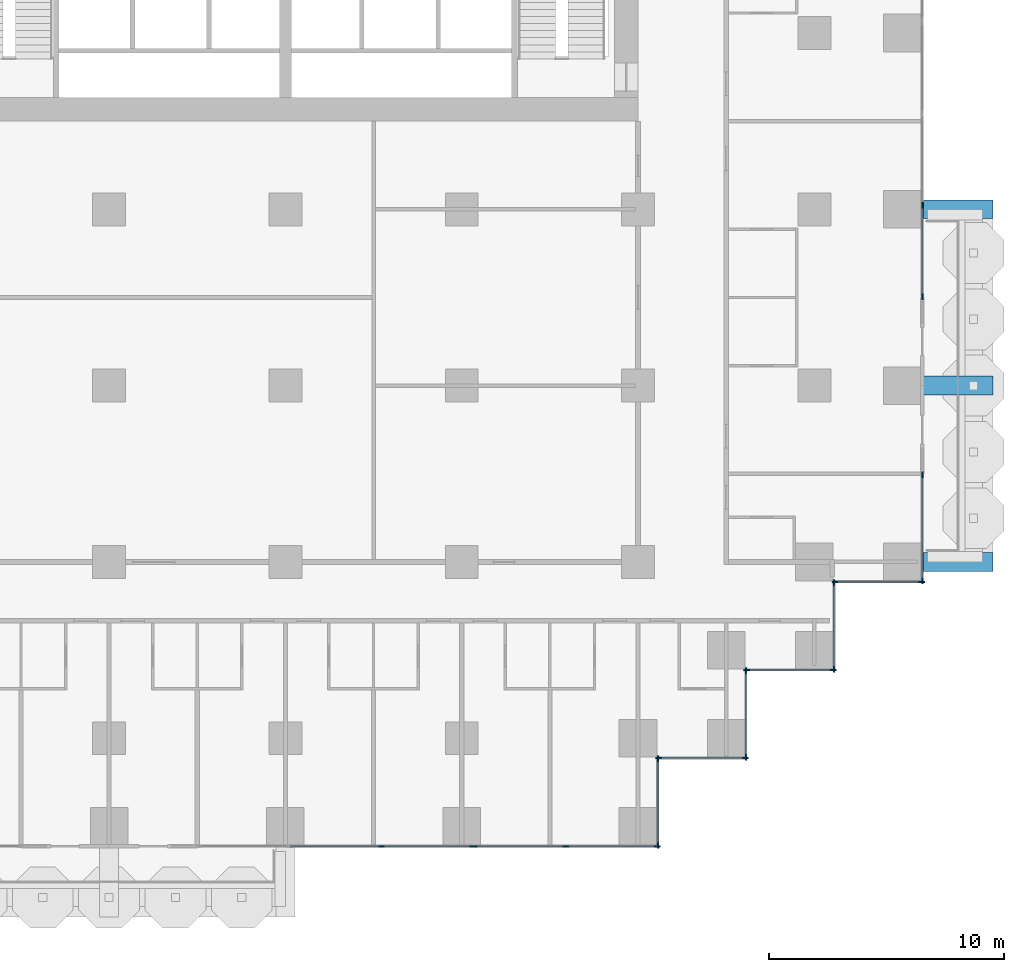
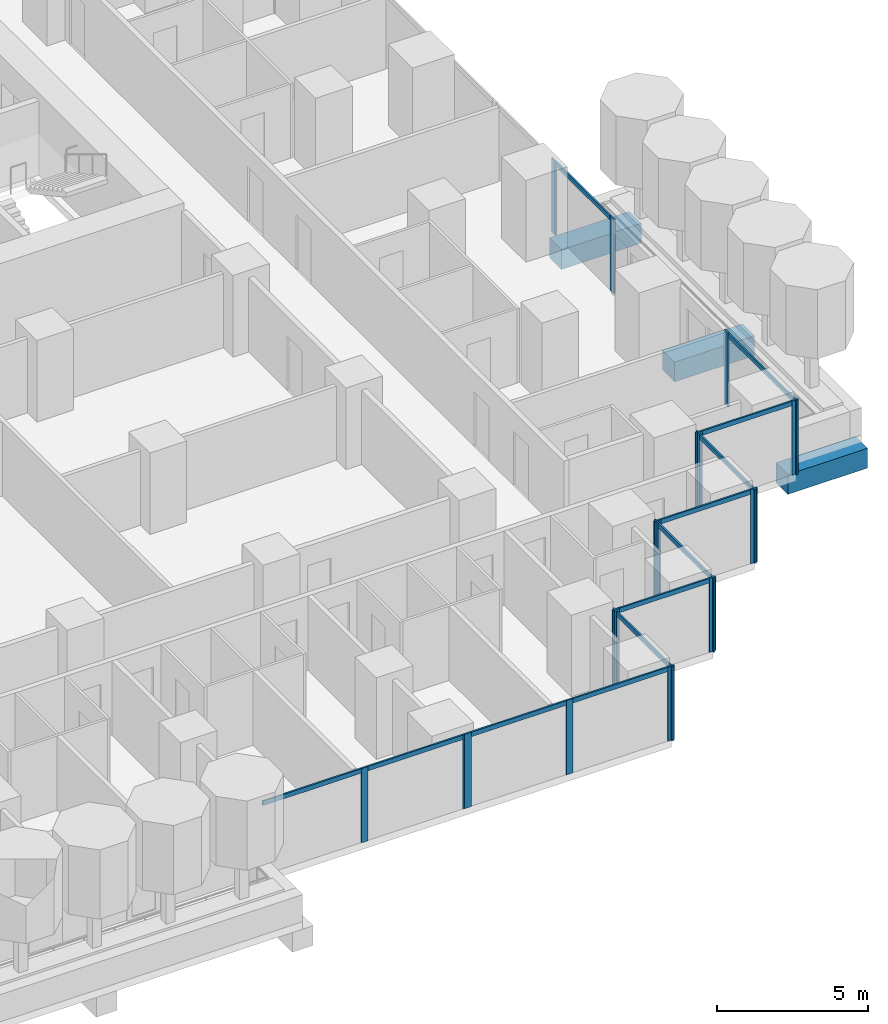
# One storey, part 3 of 17: 33 members, 3 beams, 10 elements without a shape of their own.
"""IFC4 building model written with IfcOpenShell, lengths in metres."""

import ifcopenshell
import ifcopenshell.guid

model = None  # the IFC model being written
_history = None  # IfcOwnerHistory: only IFC2X3 demands one
_inside = {}  # id of a spatial element -> (the spatial element, [elements in it])
_under = {}  # id of a project, library or spatial element -> (it, [spatial elements below it])
_declared = {}  # id of a project -> (the project, [libraries it declares])
_typed = {}  # id of a type object -> (the type object, [elements of that type])
_made_of = {}  # id of a material, layer set ... -> (it, [elements and type objects made of it])


def new_model(schema):
    """Start an empty IFC model of exactly this schema.

    Asked for "IFC4X3", IfcOpenShell would pick the latest addendum, in which some entities
    have other attributes; the version numbers below select the first issue.
    IFC2X3 requires an IfcOwnerHistory on every rooted entity: one is made here for all.
    """
    global model, _history
    if schema == "IFC4X3":
        model = ifcopenshell.file(schema_version=(4, 3, 0, 0))
    else:
        model = ifcopenshell.file(schema=schema)
    _inside.clear()
    _under.clear()
    _declared.clear()
    _typed.clear()
    _made_of.clear()
    _history = None
    if model.schema == "IFC2X3":
        org = make("IfcOrganization", Name="unknown")
        user = make(
            "IfcPersonAndOrganization",
            ThePerson=make("IfcPerson", FamilyName="unknown"),
            TheOrganization=org,
        )
        app = make(
            "IfcApplication",
            ApplicationDeveloper=org,
            Version="unknown",
            ApplicationFullName="unknown",
            ApplicationIdentifier="unknown",
        )
        _history = make(
            "IfcOwnerHistory",
            OwningUser=user,
            OwningApplication=app,
            ChangeAction="ADDED",
            CreationDate=0,
        )
    return model


def make(cls, **values):
    """One entity of the class cls with the attributes given. An attribute that is None is left unset."""
    return model.create_entity(
        cls, **{name: value for name, value in values.items() if value is not None}
    )


def rooted(cls, **values):
    """An entity with a GlobalId (a new one), such as an element, a storey or a relation."""
    return make(cls, GlobalId=ifcopenshell.guid.new(), OwnerHistory=_history, **values)


def si_unit(unit_type, name, prefix=None):
    """IfcSIUnit, for example si_unit("LENGTHUNIT", "METRE", prefix="MILLI")."""
    return make("IfcSIUnit", UnitType=unit_type, Prefix=prefix, Name=name)


def assignment(units):
    """IfcUnitAssignment: the units of a project."""
    return None if units is None else make("IfcUnitAssignment", Units=units)


def point(xyz):
    """IfcCartesianPoint."""
    return None if xyz is None else make("IfcCartesianPoint", Coordinates=xyz)


def direction(xyz):
    """IfcDirection."""
    return None if xyz is None else make("IfcDirection", DirectionRatios=xyz)


def frame(location, z_axis=None, x_axis=None):
    """IfcAxis2Placement3D, a coordinate frame: its origin and axes. An axis left out is left unset."""
    return make(
        "IfcAxis2Placement3D",
        Location=point(location),
        Axis=direction(z_axis),
        RefDirection=direction(x_axis),
    )


def frame_2d(location, x_axis=None):
    """IfcAxis2Placement2D, a coordinate frame in the plane: its origin and x axis."""
    return make(
        "IfcAxis2Placement2D", Location=point(location), RefDirection=direction(x_axis)
    )


def origin():
    """The frame at (0, 0, 0) with its axes left unset."""
    return frame((0.0, 0.0, 0.0))


def origin_2d():
    """The frame at (0, 0) in the plane with its x axis left unset."""
    return frame_2d((0.0, 0.0))


def place(relative_to, where):
    """IfcLocalPlacement: puts the frame where relative to a parent placement (None: the world)."""
    return make(
        "IfcLocalPlacement", PlacementRelTo=relative_to, RelativePlacement=where
    )


def context(
    kind, dimensions, precision=None, world=None, true_north=None, identifier=None
):
    """IfcGeometricRepresentationContext, for example the 3D "Model" context."""
    return make(
        "IfcGeometricRepresentationContext",
        ContextIdentifier=identifier,
        ContextType=kind,
        CoordinateSpaceDimension=dimensions,
        Precision=precision,
        WorldCoordinateSystem=world,
        TrueNorth=true_north,
    )


def subcontext(parent, identifier, kind, view, scale=None):
    """IfcGeometricRepresentationSubContext, for example "Body" below "Model"."""
    return make(
        "IfcGeometricRepresentationSubContext",
        ContextIdentifier=identifier,
        ContextType=kind,
        ParentContext=parent,
        TargetScale=scale,
        TargetView=view,
    )


def project(units=None, contexts=None):
    """IfcProject with its units and contexts."""
    return rooted(
        "IfcProject",
        Name="project",
        RepresentationContexts=contexts,
        UnitsInContext=assignment(units),
    )


def spatial(cls, under=None, at=None, **own):
    """A site, building, storey or space (cls), placed at a placement, below another one or the project."""
    s = rooted(cls, ObjectPlacement=at, **own)
    if under is not None:
        _under.setdefault(under.id(), (under, []))[1].append(s)
    return s


def profile(cls, at=None, kind="AREA", **sizes):
    """A parametric profile (cls). Its sizes go by their IFC names, for example OverallWidth=200.0."""
    return make(cls, ProfileType=kind, Position=at, **sizes)


def rectangle(**sizes):
    """IfcRectangleProfileDef."""
    return profile("IfcRectangleProfileDef", **sizes)


def extrude(swept, where, along, depth):
    """IfcExtrudedAreaSolid: the profile swept, set in the frame where, extruded along a direction by depth."""
    return make(
        "IfcExtrudedAreaSolid",
        SweptArea=swept,
        Position=where,
        ExtrudedDirection=direction(along),
        Depth=depth,
    )


def shape(context_of_items, identifier, shape_type, items):
    """IfcShapeRepresentation: the items that make up one representation, for example the "Body"."""
    return make(
        "IfcShapeRepresentation",
        ContextOfItems=context_of_items,
        RepresentationIdentifier=identifier,
        RepresentationType=shape_type,
        Items=items,
    )


def material(Name=None, Category=None):
    """IfcMaterial."""
    return make("IfcMaterial", Name=Name, Category=Category)


def material_profile(
    of_material, cross_section, Name=None, Category=None, Priority=None
):
    """IfcMaterialProfile: a cross section and its material."""
    return make(
        "IfcMaterialProfile",
        Name=Name,
        Material=of_material,
        Profile=cross_section,
        Priority=Priority,
        Category=Category,
    )


def profile_set(profiles, Name=None, composite=None):
    """IfcMaterialProfileSet."""
    return make(
        "IfcMaterialProfileSet",
        Name=Name,
        MaterialProfiles=profiles,
        CompositeProfile=composite,
    )


def made_of(thing, what):
    """Note that an element or type object is made of a material, layer set ...; save() writes the relation."""
    if what is not None:
        _made_of.setdefault(what.id(), (what, []))[1].append(thing)
    return thing


def type_object(cls, material=None, **own):
    """A type object (cls), such as IfcWallType, which elements share."""
    return made_of(rooted(cls, **own), material)


def element(
    cls,
    number,
    at=None,
    inside=None,
    cuts=None,
    type_object=None,
    material=None,
    context=None,
    identifier="Body",
    shape_type=None,
    held_by="IfcProductDefinitionShape",
    body=None,
    shapes=None,
    **own,
):
    """One element of the class cls, such as IfcWall. Its Tag is "e" and its number.

    at: its placement. inside: the storey or other place that contains it. cuts: it is an
    opening in that element (IfcRelVoidsElement). A single representation is given by context,
    identifier, shape_type and body (its items); several are given by shapes. held_by: the class
    of the entity that holds the representations. save() writes the other relations.
    """
    e = rooted(cls, Tag="e%d" % number, ObjectPlacement=at, **own)
    if body is not None:
        shapes = [shape(context, identifier, shape_type, body)]
    if shapes is not None:
        e.Representation = make(held_by, Representations=shapes)
    if inside is not None:
        _inside.setdefault(inside.id(), (inside, []))[1].append(e)
    if cuts is not None:
        rooted(
            "IfcRelVoidsElement", RelatingBuildingElement=cuts, RelatedOpeningElement=e
        )
    if type_object is not None:
        _typed.setdefault(type_object.id(), (type_object, []))[1].append(e)
    return made_of(e, material)


def aggregate(whole, parts):
    """IfcRelAggregates: a whole, such as a stair, and the parts it consists of."""
    return rooted("IfcRelAggregates", RelatingObject=whole, RelatedObjects=parts)


def save(model, path):
    """Write the relations noted so far, then the file.

    IfcRelAggregates (storeys below a building ...), IfcRelContainedInSpatialStructure (elements
    in a storey), IfcRelDefinesByType, IfcRelAssociatesMaterial and IfcRelDeclares: one each for
    every whole, place, type object, material and project.
    """
    for whole, parts in _under.values():
        aggregate(whole, parts)
    for where, things in _inside.values():
        rooted(
            "IfcRelContainedInSpatialStructure",
            RelatedElements=things,
            RelatingStructure=where,
        )
    for kind, things in _typed.values():
        rooted("IfcRelDefinesByType", RelatedObjects=things, RelatingType=kind)
    for what, things in _made_of.values():
        rooted("IfcRelAssociatesMaterial", RelatedObjects=things, RelatingMaterial=what)
    for by, libraries in _declared.values():
        rooted("IfcRelDeclares", RelatingContext=by, RelatedDefinitions=libraries)
    model.write(path)


model = new_model("IFC4")

# Units and contexts
model_context = context("Model", 3, precision=1e-05, world=origin(), true_north=direction((0.0, 1.0)))
body_context = subcontext(model_context, "Body", "Model", "MODEL_VIEW")
ifc_project = project(units=[si_unit("LENGTHUNIT", "METRE"), si_unit("AREAUNIT", "SQUARE_METRE"), si_unit("VOLUMEUNIT", "CUBIC_METRE"), si_unit("PLANEANGLEUNIT", "RADIAN"), si_unit("MASSUNIT", "GRAM", prefix="KILO")], contexts=[model_context])

# Site, building, storey
site_placement = place(None, origin())
site = spatial("IfcSite", under=ifc_project, at=site_placement, CompositionType="ELEMENT")
building_placement = place(site_placement, origin())
building = spatial("IfcBuilding", under=site, at=building_placement, Name="Pilkhan Gate Tower", CompositionType="ELEMENT")
storey_placement = place(building_placement, frame((0.0, 0.0, 49.39990234375)))
storey = spatial("IfcBuildingStorey", under=building, at=storey_placement, Name="L09", CompositionType="ELEMENT", Elevation=49.39990234375)

# Beams
ifc_material_1 = material(Name="Concrete C50/60", Category="concrete")
ifc_material_profile_1 = material_profile(ifc_material_1, rectangle(XDim=0.800048828125, YDim=0.800048828125, at=origin_2d()), Name="RC 800x800")
ifc_profile_set_1 = profile_set([ifc_material_profile_1], Name="Concrete C50/60")
beam_type = type_object("IfcBeamType", Name="Cantilever beam CB2 RC 800x800 C50/60", PredefinedType="BEAM", material=ifc_profile_set_1)
for number, where, z_axis, x_axis, name in (
    (1, (102.050048828125, 52.5, -0.699951171875), (1.0, 0.0, 0.0), (0.0, 1.0, 0.0), "Balcony beam E.1 L09"),
    (2, (102.050048828125, 60.0, -0.699951171875), (1.0, 0.0, 0.0), (0.0, 1.0, 0.0), "Balcony beam E.2 L09"),
    (3, (102.050048828125, 67.5, -0.699951171875), (1.0, 0.0, 0.0), (0.0, 1.0, 0.0), "Balcony beam E.3 L09"),
):
    element("IfcBeam", number, at=place(storey_placement, frame(where, z_axis=z_axis, x_axis=x_axis)), inside=storey, type_object=beam_type, Name=name, PredefinedType="BEAM", context=body_context, shape_type="SweptSolid", body=[
        extrude(rectangle(XDim=0.800048828125, YDim=0.800048828125, at=origin_2d()), origin(), (0.0, 0.0, 1.0), 3.050048828125),
    ])

# Curtain wall, members
ifc_material_2 = material(Name="Pale anodised aluminium, clear low-iron double glazing", Category="aluminium")
curtain_wall_type = type_object("IfcCurtainWallType", Name="Hotel unitised curtain wall CW-H", PredefinedType="USERDEFINED", material=ifc_material_2)
curtain_wall_1_placement = place(storey_placement, origin())
curtain_wall_1 = element("IfcCurtainWall", 4, at=curtain_wall_1_placement, inside=storey, type_object=curtain_wall_type, Name="Hotel unitised curtain wall CW-H L09 E", ObjectType="UNITISED CURTAIN WALL", PredefinedType="USERDEFINED")
ifc_material_3 = material(Name="Pale anodised aluminium", Category="aluminium")
ifc_material_profile_2 = material_profile(ifc_material_3, rectangle(XDim=0.06494140625, YDim=0.25, at=origin_2d()), Name="Mullion 250x65")
ifc_profile_set_2 = profile_set([ifc_material_profile_2], Name="Pale anodised aluminium")
member_type_1 = type_object("IfcMemberType", Name="Mullion CW-H 250x65", PredefinedType="MULLION", material=ifc_profile_set_2)
member_1_placement = place(storey_placement, frame((102.094970703125, 51.6875, 0.0), z_axis=(0.0, 0.0, 1.0), x_axis=(-1.0, 0.0, 0.0)))
member_1 = element("IfcMember", 5, at=member_1_placement, type_object=member_type_1, Name="CW-H mullion 1", PredefinedType="MULLION", context=body_context, shape_type="SweptSolid", body=[
    extrude(rectangle(XDim=0.06494140625, YDim=0.25, at=origin_2d()), origin(), (0.0, 0.0, 1.0), 3.0),
])
member_2_placement = place(storey_placement, frame((102.094970703125, 56.217529296875, 0.0), z_axis=(0.0, 0.0, 1.0), x_axis=(-1.0, 0.0, 0.0)))
member_2 = element("IfcMember", 6, at=member_2_placement, type_object=member_type_1, Name="CW-H mullion 2", PredefinedType="MULLION", context=body_context, shape_type="SweptSolid", body=[
    extrude(rectangle(XDim=0.06494140625, YDim=0.25, at=origin_2d()), origin(), (0.0, 0.0, 1.0), 3.0),
])

curtain_wall_2_placement = place(storey_placement, origin())
curtain_wall_2 = element("IfcCurtainWall", 7, at=curtain_wall_2_placement, inside=storey, type_object=curtain_wall_type, Name="Hotel unitised curtain wall CW-H L09 E", ObjectType="UNITISED CURTAIN WALL", PredefinedType="USERDEFINED")
member_3_placement = place(storey_placement, frame((102.094970703125, 63.782470703125, 0.0), z_axis=(0.0, 0.0, 1.0), x_axis=(-1.0, 0.0, 0.0)))
member_3 = element("IfcMember", 8, at=member_3_placement, type_object=member_type_1, Name="CW-H mullion 1", PredefinedType="MULLION", context=body_context, shape_type="SweptSolid", body=[
    extrude(rectangle(XDim=0.06494140625, YDim=0.25, at=origin_2d()), origin(), (0.0, 0.0, 1.0), 3.0),
])
member_4_placement = place(storey_placement, frame((102.094970703125, 67.6689453125, 0.0), z_axis=(0.0, 0.0, 1.0), x_axis=(-1.0, 0.0, 0.0)))
member_4 = element("IfcMember", 9, at=member_4_placement, type_object=member_type_1, Name="CW-H mullion 2", PredefinedType="MULLION", context=body_context, shape_type="SweptSolid", body=[
    extrude(rectangle(XDim=0.06494140625, YDim=0.25, at=origin_2d()), origin(), (0.0, 0.0, 1.0), 3.0),
])

curtain_wall_3_placement = place(storey_placement, origin())
curtain_wall_3 = element("IfcCurtainWall", 10, at=curtain_wall_3_placement, inside=storey, type_object=curtain_wall_type, Name="Hotel unitised curtain wall CW-H L09 S", ObjectType="UNITISED CURTAIN WALL", PredefinedType="USERDEFINED")
member_5_placement = place(storey_placement, frame((79.087890625, 40.405029296875, 0.0), z_axis=(0.0, 0.0, 1.0), x_axis=(0.0, 1.0, 0.0)))
member_5 = element("IfcMember", 11, at=member_5_placement, type_object=member_type_1, Name="CW-H mullion 3", PredefinedType="MULLION", context=body_context, shape_type="SweptSolid", body=[
    extrude(rectangle(XDim=0.06494140625, YDim=0.25, at=origin_2d()), origin(), (0.0, 0.0, 1.0), 3.0),
])
member_6_placement = place(storey_placement, frame((82.974609375, 40.405029296875, 0.0), z_axis=(0.0, 0.0, 1.0), x_axis=(0.0, 1.0, 0.0)))
member_6 = element("IfcMember", 12, at=member_6_placement, type_object=member_type_1, Name="CW-H mullion 4", PredefinedType="MULLION", context=body_context, shape_type="SweptSolid", body=[
    extrude(rectangle(XDim=0.06494140625, YDim=0.25, at=origin_2d()), origin(), (0.0, 0.0, 1.0), 3.0),
])

curtain_wall_4_placement = place(storey_placement, origin())
curtain_wall_4 = element("IfcCurtainWall", 13, at=curtain_wall_4_placement, inside=storey, type_object=curtain_wall_type, Name="Hotel unitised curtain wall CW-H L09 S", ObjectType="UNITISED CURTAIN WALL", PredefinedType="USERDEFINED")
member_7_placement = place(storey_placement, frame((83.03955078125, 40.405029296875, 0.0), z_axis=(0.0, 0.0, 1.0), x_axis=(0.0, 1.0, 0.0)))
member_7 = element("IfcMember", 14, at=member_7_placement, type_object=member_type_1, Name="CW-H mullion 1", PredefinedType="MULLION", context=body_context, shape_type="SweptSolid", body=[
    extrude(rectangle(XDim=0.06494140625, YDim=0.25, at=origin_2d()), origin(), (0.0, 0.0, 1.0), 3.0),
])
member_8_placement = place(storey_placement, frame((86.926025390625, 40.405029296875, 0.0), z_axis=(0.0, 0.0, 1.0), x_axis=(0.0, 1.0, 0.0)))
member_8 = element("IfcMember", 15, at=member_8_placement, type_object=member_type_1, Name="CW-H mullion 2", PredefinedType="MULLION", context=body_context, shape_type="SweptSolid", body=[
    extrude(rectangle(XDim=0.06494140625, YDim=0.25, at=origin_2d()), origin(), (0.0, 0.0, 1.0), 3.0),
])
member_9_placement = place(storey_placement, frame((90.8125, 40.405029296875, 0.0), z_axis=(0.0, 0.0, 1.0), x_axis=(0.0, 1.0, 0.0)))
member_9 = element("IfcMember", 16, at=member_9_placement, type_object=member_type_1, Name="CW-H mullion 3", PredefinedType="MULLION", context=body_context, shape_type="SweptSolid", body=[
    extrude(rectangle(XDim=0.06494140625, YDim=0.25, at=origin_2d()), origin(), (0.0, 0.0, 1.0), 3.0),
])

curtain_wall_5_placement = place(storey_placement, origin())
curtain_wall_5 = element("IfcCurtainWall", 17, at=curtain_wall_5_placement, inside=storey, type_object=curtain_wall_type, Name="Hotel unitised curtain wall CW-H L09 E", ObjectType="UNITISED CURTAIN WALL", PredefinedType="USERDEFINED")
member_10_placement = place(storey_placement, frame((90.844970703125, 40.4375, 0.0), z_axis=(0.0, 0.0, 1.0), x_axis=(-1.0, 0.0, 0.0)))
member_10 = element("IfcMember", 18, at=member_10_placement, type_object=member_type_1, Name="CW-H mullion 1", PredefinedType="MULLION", context=body_context, shape_type="SweptSolid", body=[
    extrude(rectangle(XDim=0.06494140625, YDim=0.25, at=origin_2d()), origin(), (0.0, 0.0, 1.0), 3.0),
])
member_11_placement = place(storey_placement, frame((90.844970703125, 44.12255859375, 0.0), z_axis=(0.0, 0.0, 1.0), x_axis=(-1.0, 0.0, 0.0)))
member_11 = element("IfcMember", 19, at=member_11_placement, type_object=member_type_1, Name="CW-H mullion 2", PredefinedType="MULLION", context=body_context, shape_type="SweptSolid", body=[
    extrude(rectangle(XDim=0.06494140625, YDim=0.25, at=origin_2d()), origin(), (0.0, 0.0, 1.0), 3.0),
])

curtain_wall_6_placement = place(storey_placement, origin())
curtain_wall_6 = element("IfcCurtainWall", 20, at=curtain_wall_6_placement, inside=storey, type_object=curtain_wall_type, Name="Hotel unitised curtain wall CW-H L09 S", ObjectType="UNITISED CURTAIN WALL", PredefinedType="USERDEFINED")
member_12_placement = place(storey_placement, frame((90.87744140625, 44.155029296875, 0.0), z_axis=(0.0, 0.0, 1.0), x_axis=(0.0, 1.0, 0.0)))
member_12 = element("IfcMember", 21, at=member_12_placement, type_object=member_type_1, Name="CW-H mullion 1", PredefinedType="MULLION", context=body_context, shape_type="SweptSolid", body=[
    extrude(rectangle(XDim=0.06494140625, YDim=0.25, at=origin_2d()), origin(), (0.0, 0.0, 1.0), 3.0),
])
member_13_placement = place(storey_placement, frame((94.5625, 44.155029296875, 0.0), z_axis=(0.0, 0.0, 1.0), x_axis=(0.0, 1.0, 0.0)))
member_13 = element("IfcMember", 22, at=member_13_placement, type_object=member_type_1, Name="CW-H mullion 2", PredefinedType="MULLION", context=body_context, shape_type="SweptSolid", body=[
    extrude(rectangle(XDim=0.06494140625, YDim=0.25, at=origin_2d()), origin(), (0.0, 0.0, 1.0), 3.0),
])

curtain_wall_7_placement = place(storey_placement, origin())
curtain_wall_7 = element("IfcCurtainWall", 23, at=curtain_wall_7_placement, inside=storey, type_object=curtain_wall_type, Name="Hotel unitised curtain wall CW-H L09 E", ObjectType="UNITISED CURTAIN WALL", PredefinedType="USERDEFINED")
member_14_placement = place(storey_placement, frame((94.594970703125, 44.1875, 0.0), z_axis=(0.0, 0.0, 1.0), x_axis=(-1.0, 0.0, 0.0)))
member_14 = element("IfcMember", 24, at=member_14_placement, type_object=member_type_1, Name="CW-H mullion 1", PredefinedType="MULLION", context=body_context, shape_type="SweptSolid", body=[
    extrude(rectangle(XDim=0.06494140625, YDim=0.25, at=origin_2d()), origin(), (0.0, 0.0, 1.0), 3.0),
])
member_15_placement = place(storey_placement, frame((94.594970703125, 47.87255859375, 0.0), z_axis=(0.0, 0.0, 1.0), x_axis=(-1.0, 0.0, 0.0)))
member_15 = element("IfcMember", 25, at=member_15_placement, type_object=member_type_1, Name="CW-H mullion 2", PredefinedType="MULLION", context=body_context, shape_type="SweptSolid", body=[
    extrude(rectangle(XDim=0.06494140625, YDim=0.25, at=origin_2d()), origin(), (0.0, 0.0, 1.0), 3.0),
])

curtain_wall_8_placement = place(storey_placement, origin())
curtain_wall_8 = element("IfcCurtainWall", 26, at=curtain_wall_8_placement, inside=storey, type_object=curtain_wall_type, Name="Hotel unitised curtain wall CW-H L09 S", ObjectType="UNITISED CURTAIN WALL", PredefinedType="USERDEFINED")
member_16_placement = place(storey_placement, frame((94.62744140625, 47.905029296875, 0.0), z_axis=(0.0, 0.0, 1.0), x_axis=(0.0, 1.0, 0.0)))
member_16 = element("IfcMember", 27, at=member_16_placement, type_object=member_type_1, Name="CW-H mullion 1", PredefinedType="MULLION", context=body_context, shape_type="SweptSolid", body=[
    extrude(rectangle(XDim=0.06494140625, YDim=0.25, at=origin_2d()), origin(), (0.0, 0.0, 1.0), 3.0),
])
member_17_placement = place(storey_placement, frame((98.3125, 47.905029296875, 0.0), z_axis=(0.0, 0.0, 1.0), x_axis=(0.0, 1.0, 0.0)))
member_17 = element("IfcMember", 28, at=member_17_placement, type_object=member_type_1, Name="CW-H mullion 2", PredefinedType="MULLION", context=body_context, shape_type="SweptSolid", body=[
    extrude(rectangle(XDim=0.06494140625, YDim=0.25, at=origin_2d()), origin(), (0.0, 0.0, 1.0), 3.0),
])

curtain_wall_9_placement = place(storey_placement, origin())
curtain_wall_9 = element("IfcCurtainWall", 29, at=curtain_wall_9_placement, inside=storey, type_object=curtain_wall_type, Name="Hotel unitised curtain wall CW-H L09 E", ObjectType="UNITISED CURTAIN WALL", PredefinedType="USERDEFINED")
member_18_placement = place(storey_placement, frame((98.344970703125, 47.9375, 0.0), z_axis=(0.0, 0.0, 1.0), x_axis=(-1.0, 0.0, 0.0)))
member_18 = element("IfcMember", 30, at=member_18_placement, type_object=member_type_1, Name="CW-H mullion 1", PredefinedType="MULLION", context=body_context, shape_type="SweptSolid", body=[
    extrude(rectangle(XDim=0.06494140625, YDim=0.25, at=origin_2d()), origin(), (0.0, 0.0, 1.0), 3.0),
])
member_19_placement = place(storey_placement, frame((98.344970703125, 51.62255859375, 0.0), z_axis=(0.0, 0.0, 1.0), x_axis=(-1.0, 0.0, 0.0)))
member_19 = element("IfcMember", 31, at=member_19_placement, type_object=member_type_1, Name="CW-H mullion 2", PredefinedType="MULLION", context=body_context, shape_type="SweptSolid", body=[
    extrude(rectangle(XDim=0.06494140625, YDim=0.25, at=origin_2d()), origin(), (0.0, 0.0, 1.0), 3.0),
])

curtain_wall_10_placement = place(storey_placement, origin())
curtain_wall_10 = element("IfcCurtainWall", 32, at=curtain_wall_10_placement, inside=storey, type_object=curtain_wall_type, Name="Hotel unitised curtain wall CW-H L09 S", ObjectType="UNITISED CURTAIN WALL", PredefinedType="USERDEFINED")
member_20_placement = place(storey_placement, frame((98.37744140625, 51.655029296875, 0.0), z_axis=(0.0, 0.0, 1.0), x_axis=(0.0, 1.0, 0.0)))
member_20 = element("IfcMember", 33, at=member_20_placement, type_object=member_type_1, Name="CW-H mullion 1", PredefinedType="MULLION", context=body_context, shape_type="SweptSolid", body=[
    extrude(rectangle(XDim=0.06494140625, YDim=0.25, at=origin_2d()), origin(), (0.0, 0.0, 1.0), 3.0),
])
member_21_placement = place(storey_placement, frame((102.0625, 51.655029296875, 0.0), z_axis=(0.0, 0.0, 1.0), x_axis=(0.0, 1.0, 0.0)))
member_21 = element("IfcMember", 34, at=member_21_placement, type_object=member_type_1, Name="CW-H mullion 2", PredefinedType="MULLION", context=body_context, shape_type="SweptSolid", body=[
    extrude(rectangle(XDim=0.06494140625, YDim=0.25, at=origin_2d()), origin(), (0.0, 0.0, 1.0), 3.0),
])

# Member
ifc_material_profile_3 = material_profile(ifc_material_3, rectangle(XDim=0.06494140625, YDim=0.179931640625, at=origin_2d()), Name="Transom 180x65")
ifc_profile_set_3 = profile_set([ifc_material_profile_3], Name="Pale anodised aluminium")
member_type_2 = type_object("IfcMemberType", Name="Transom CW-H 180x65", PredefinedType="USERDEFINED", material=ifc_profile_set_3)
member_22_placement = place(storey_placement, frame((102.094970703125, 51.719970703125, 2.91015625), z_axis=(0.0, 1.0, 0.0), x_axis=(-1.0, 0.0, 0.0)))
member_22 = element("IfcMember", 35, at=member_22_placement, type_object=member_type_2, Name="CW-H transom 1", ObjectType="TRANSOM", PredefinedType="USERDEFINED", context=body_context, shape_type="SweptSolid", body=[
    extrude(rectangle(XDim=0.06494140625, YDim=0.179931640625, at=origin_2d()), origin(), (0.0, 0.0, 1.0), 4.465087890625),
])

aggregate(curtain_wall_1, [member_1, member_2, member_22])

member_23_placement = place(storey_placement, frame((102.094970703125, 63.81494140625, 2.91015625), z_axis=(0.0, 1.0, 0.0), x_axis=(-1.0, 0.0, 0.0)))
member_23 = element("IfcMember", 36, at=member_23_placement, type_object=member_type_2, Name="CW-H transom 1", ObjectType="TRANSOM", PredefinedType="USERDEFINED", context=body_context, shape_type="SweptSolid", body=[
    extrude(rectangle(XDim=0.06494140625, YDim=0.179931640625, at=origin_2d()), origin(), (0.0, 0.0, 1.0), 3.821533203125),
])

aggregate(curtain_wall_2, [member_3, member_4, member_23])

member_24_placement = place(storey_placement, frame((75.201416015625, 40.405029296875, 2.91015625), z_axis=(1.0, 0.0, 0.0), x_axis=(0.0, 1.0, 0.0)))
member_24 = element("IfcMember", 37, at=member_24_placement, type_object=member_type_2, Name="CW-H transom 2", ObjectType="TRANSOM", PredefinedType="USERDEFINED", context=body_context, shape_type="SweptSolid", body=[
    extrude(rectangle(XDim=0.06494140625, YDim=0.179931640625, at=origin_2d()), origin(), (0.0, 0.0, 1.0), 3.85400390625),
])

member_25_placement = place(storey_placement, frame((79.12060546875, 40.405029296875, 2.91015625), z_axis=(1.0, 0.0, 0.0), x_axis=(0.0, 1.0, 0.0)))
member_25 = element("IfcMember", 38, at=member_25_placement, type_object=member_type_2, Name="CW-H transom 3", ObjectType="TRANSOM", PredefinedType="USERDEFINED", context=body_context, shape_type="SweptSolid", body=[
    extrude(rectangle(XDim=0.06494140625, YDim=0.179931640625, at=origin_2d()), origin(), (0.0, 0.0, 1.0), 3.8212890625),
])

aggregate(curtain_wall_3, [member_5, member_6, member_24, member_25])

member_26_placement = place(storey_placement, frame((83.072021484375, 40.405029296875, 2.91015625), z_axis=(1.0, 0.0, 0.0), x_axis=(0.0, 1.0, 0.0)))
member_26 = element("IfcMember", 39, at=member_26_placement, type_object=member_type_2, Name="CW-H transom 1", ObjectType="TRANSOM", PredefinedType="USERDEFINED", context=body_context, shape_type="SweptSolid", body=[
    extrude(rectangle(XDim=0.06494140625, YDim=0.179931640625, at=origin_2d()), origin(), (0.0, 0.0, 1.0), 3.821533203125),
])

member_27_placement = place(storey_placement, frame((86.95849609375, 40.405029296875, 2.91015625), z_axis=(1.0, 0.0, 0.0), x_axis=(0.0, 1.0, 0.0)))
member_27 = element("IfcMember", 40, at=member_27_placement, type_object=member_type_2, Name="CW-H transom 2", ObjectType="TRANSOM", PredefinedType="USERDEFINED", context=body_context, shape_type="SweptSolid", body=[
    extrude(rectangle(XDim=0.06494140625, YDim=0.179931640625, at=origin_2d()), origin(), (0.0, 0.0, 1.0), 3.821533203125),
])

aggregate(curtain_wall_4, [member_7, member_8, member_9, member_26, member_27])

member_28_placement = place(storey_placement, frame((90.844970703125, 40.469970703125, 2.91015625), z_axis=(0.0, 1.0, 0.0), x_axis=(-1.0, 0.0, 0.0)))
member_28 = element("IfcMember", 41, at=member_28_placement, type_object=member_type_2, Name="CW-H transom 1", ObjectType="TRANSOM", PredefinedType="USERDEFINED", context=body_context, shape_type="SweptSolid", body=[
    extrude(rectangle(XDim=0.06494140625, YDim=0.179931640625, at=origin_2d()), origin(), (0.0, 0.0, 1.0), 3.6201171875),
])

aggregate(curtain_wall_5, [member_10, member_11, member_28])

member_29_placement = place(storey_placement, frame((90.909912109375, 44.155029296875, 2.91015625), z_axis=(1.0, 0.0, 0.0), x_axis=(0.0, 1.0, 0.0)))
member_29 = element("IfcMember", 42, at=member_29_placement, type_object=member_type_2, Name="CW-H transom 1", ObjectType="TRANSOM", PredefinedType="USERDEFINED", context=body_context, shape_type="SweptSolid", body=[
    extrude(rectangle(XDim=0.06494140625, YDim=0.179931640625, at=origin_2d()), origin(), (0.0, 0.0, 1.0), 3.6201171875),
])

aggregate(curtain_wall_6, [member_12, member_13, member_29])

member_30_placement = place(storey_placement, frame((94.594970703125, 44.219970703125, 2.91015625), z_axis=(0.0, 1.0, 0.0), x_axis=(-1.0, 0.0, 0.0)))
member_30 = element("IfcMember", 43, at=member_30_placement, type_object=member_type_2, Name="CW-H transom 1", ObjectType="TRANSOM", PredefinedType="USERDEFINED", context=body_context, shape_type="SweptSolid", body=[
    extrude(rectangle(XDim=0.06494140625, YDim=0.179931640625, at=origin_2d()), origin(), (0.0, 0.0, 1.0), 3.6201171875),
])

aggregate(curtain_wall_7, [member_14, member_15, member_30])

member_31_placement = place(storey_placement, frame((94.659912109375, 47.905029296875, 2.91015625), z_axis=(1.0, 0.0, 0.0), x_axis=(0.0, 1.0, 0.0)))
member_31 = element("IfcMember", 44, at=member_31_placement, type_object=member_type_2, Name="CW-H transom 1", ObjectType="TRANSOM", PredefinedType="USERDEFINED", context=body_context, shape_type="SweptSolid", body=[
    extrude(rectangle(XDim=0.06494140625, YDim=0.179931640625, at=origin_2d()), origin(), (0.0, 0.0, 1.0), 3.6201171875),
])

aggregate(curtain_wall_8, [member_16, member_17, member_31])

member_32_placement = place(storey_placement, frame((98.344970703125, 47.969970703125, 2.91015625), z_axis=(0.0, 1.0, 0.0), x_axis=(-1.0, 0.0, 0.0)))
member_32 = element("IfcMember", 45, at=member_32_placement, type_object=member_type_2, Name="CW-H transom 1", ObjectType="TRANSOM", PredefinedType="USERDEFINED", context=body_context, shape_type="SweptSolid", body=[
    extrude(rectangle(XDim=0.06494140625, YDim=0.179931640625, at=origin_2d()), origin(), (0.0, 0.0, 1.0), 3.6201171875),
])

aggregate(curtain_wall_9, [member_18, member_19, member_32])

member_33_placement = place(storey_placement, frame((98.409912109375, 51.655029296875, 2.91015625), z_axis=(1.0, 0.0, 0.0), x_axis=(0.0, 1.0, 0.0)))
member_33 = element("IfcMember", 46, at=member_33_placement, type_object=member_type_2, Name="CW-H transom 1", ObjectType="TRANSOM", PredefinedType="USERDEFINED", context=body_context, shape_type="SweptSolid", body=[
    extrude(rectangle(XDim=0.06494140625, YDim=0.179931640625, at=origin_2d()), origin(), (0.0, 0.0, 1.0), 3.6201171875),
])

aggregate(curtain_wall_10, [member_20, member_21, member_33])

save(model, "model.ifc")
